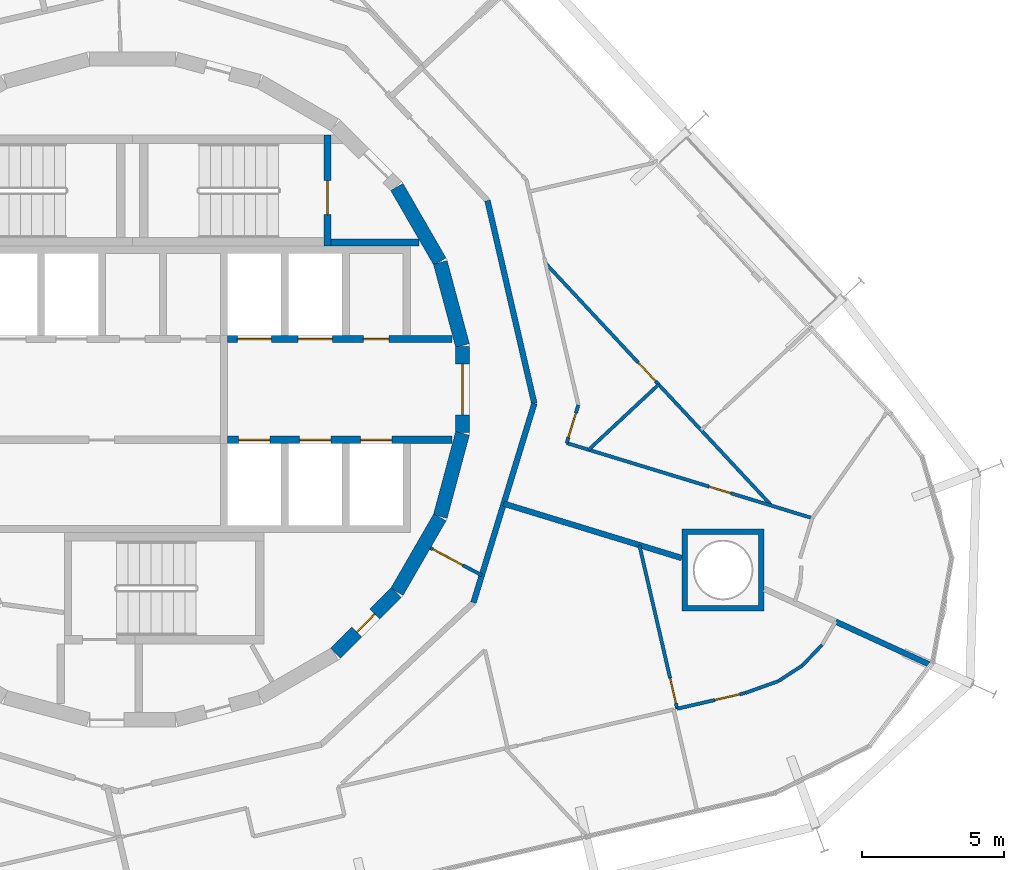
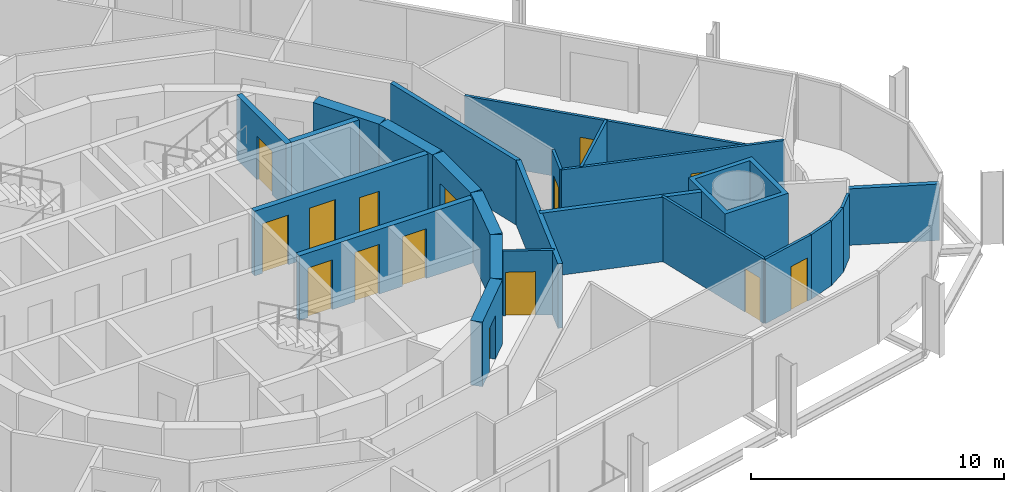
# One storey, part 14 of 18: 25 walls, 15 doors, 15 openings.
"""IFC4 building model written with IfcOpenShell, lengths in metres."""

from ifc_helpers import new_model, si_unit, direction, frame, frame_2d, origin, place, context, subcontext, project, spatial, polyline, rectangle, outline, extrude, material, layer, layer_set, type_object, element, fill, save


model = new_model("IFC4")

# Units and contexts
model_context = context("Model", 3, precision=1e-05, world=origin(), true_north=direction((0.0, 1.0)))
body_context = subcontext(model_context, "Body", "Model", "MODEL_VIEW")
ifc_project = project(units=[si_unit("LENGTHUNIT", "METRE"), si_unit("AREAUNIT", "SQUARE_METRE"), si_unit("VOLUMEUNIT", "CUBIC_METRE"), si_unit("PLANEANGLEUNIT", "RADIAN"), si_unit("MASSUNIT", "GRAM", prefix="KILO")], contexts=[model_context])

# Site, building, storey
site_placement = place(None, origin())
site = spatial("IfcSite", under=ifc_project, at=site_placement, CompositionType="ELEMENT")
building_placement = place(site_placement, origin())
building = spatial("IfcBuilding", under=site, at=building_placement, Name="Spindle Arch Residences", CompositionType="ELEMENT")
storey_placement = place(building_placement, frame((0.0, 0.0, 137.89990234375)))
storey = spatial("IfcBuildingStorey", under=building, at=storey_placement, Name="L34", CompositionType="ELEMENT", Elevation=137.89990234375)

# Wall, opening, door
ifc_material_1 = material(Name="Concrete C50/60", Category="concrete")
ifc_layer_1 = layer(ifc_material_1, 0.5)
ifc_layer_set_1 = layer_set([ifc_layer_1], Name="Core outline wall 500")
wall_type_1 = type_object("IfcWallType", Name="Core outline wall 500", PredefinedType="SHEAR", material=ifc_layer_set_1)
wall_1_placement = place(storey_placement, frame((7.163818359375, -9.30810546875, 0.0), z_axis=(0.0, 0.0, 1.0), x_axis=(0.707106781187, 0.707106781187, 0.0)))
wall_1 = element("IfcWall", 1, at=wall_1_placement, inside=storey, type_object=wall_type_1, Name="Core outline wall 3", PredefinedType="SHEAR", context=body_context, shape_type="SweptSolid", body=[
    extrude(rectangle(XDim=3.032470703125, YDim=0.5, at=frame_2d((1.51611328125, 0.0))), origin(), (0.0, 0.0, 1.0), 3.1201171875),
])
opening_1_placement = place(wall_1_placement, frame((1.06640625, 0.0, 0.0)))
opening_1 = element("IfcOpeningElement", 2, at=opening_1_placement, cuts=wall_1, Name="Opening R3C1-WD07", PredefinedType="OPENING", context=body_context, shape_type="SweptSolid", body=[
    extrude(rectangle(XDim=0.89990234375, YDim=2.10009765625, at=frame_2d((0.449951171875, 1.050048828125))), frame((0.0, 0.260009765625, 0.0), z_axis=(0.0, -1.0, 0.0), x_axis=(1.0, 0.0, 0.0)), (0.0, 0.0, 1.0), 0.52001953125),
])
ifc_material_2 = material(Name="Steel, fire-resisting door", Category="steel")
door_type_1 = type_object("IfcDoorType", Name="Service room door 900x2100", OperationType="SINGLE_SWING_LEFT", PredefinedType="DOOR", material=ifc_material_2)
door_1_placement = place(opening_1_placement, origin())
door_1 = element("IfcDoor", 3, at=door_1_placement, inside=storey, type_object=door_type_1, Name="Service room door R3C1-WD07", OperationType="SINGLE_SWING_RIGHT", OverallHeight=2.10009765625, OverallWidth=0.89990234375, PredefinedType="DOOR", context=body_context, shape_type="SweptSolid", body=[
    extrude(rectangle(XDim=0.89990234375, YDim=2.10009765625, at=frame_2d((0.449951171875, 1.050048828125))), frame((0.0, 0.02490234375, 0.0), z_axis=(0.0, -1.0, 0.0), x_axis=(1.0, 0.0, 0.0)), (0.0, 0.0, 1.0), 0.050048828125),
])
fill(opening_1, door_1)

# Walls
for number, where, z_axis, x_axis, name in (
    (4, (9.32861328125, -7.13671875, 0.0), (0.0, 0.0, 1.0), (0.500087131594, 0.865975092491, 0.0), "Core outline wall 4"),
    (5, (10.858154296875, -4.479248046875, 0.0), (0.0, 0.0, 1.0), (0.258734743916, 0.965948410781, 0.0), "Core outline wall 5"),
):
    element("IfcWall", number, at=place(storey_placement, frame(where, z_axis=z_axis, x_axis=x_axis)), inside=storey, type_object=wall_type_1, Name=name, PredefinedType="SHEAR", context=body_context, shape_type="SweptSolid", body=[
        extrude(rectangle(XDim=3.03271484375, YDim=0.5, at=frame_2d((1.516357421875, 0.0))), origin(), (0.0, 0.0, 1.0), 3.1201171875),
    ])

# Wall, opening, door
wall_2_placement = place(storey_placement, frame((11.647216796875, -1.516357421875, 0.0), z_axis=(0.0, 0.0, 1.0), x_axis=(0.0, 1.0, 0.0)))
wall_2 = element("IfcWall", 6, at=wall_2_placement, inside=storey, type_object=wall_type_1, Name="Core outline wall 6", PredefinedType="SHEAR", context=body_context, shape_type="SweptSolid", body=[
    extrude(rectangle(XDim=3.03271484375, YDim=0.5, at=frame_2d((1.516357421875, 0.0))), origin(), (0.0, 0.0, 1.0), 3.1201171875),
])
opening_2_placement = place(wall_2_placement, frame((0.6162109375, 0.0, 0.0)))
opening_2 = element("IfcOpeningElement", 7, at=opening_2_placement, cuts=wall_2, Name="Opening R3C1-FE01", PredefinedType="OPENING", context=body_context, shape_type="SweptSolid", body=[
    extrude(rectangle(XDim=1.800048828125, YDim=2.10009765625, at=frame_2d((0.89990234375, 1.050048828125))), frame((0.0, 0.260009765625, 0.0), z_axis=(0.0, -1.0, 0.0), x_axis=(1.0, 0.0, 0.0)), (0.0, 0.0, 1.0), 0.52001953125),
])
ifc_material_3 = material(Name="Steel, fire-resisting door", Category="steel")
door_type_2 = type_object("IfcDoorType", Name="Fire-lift lobby door 1800x2100", OperationType="DOUBLE_DOOR_SINGLE_SWING", PredefinedType="DOOR", material=ifc_material_3)
door_2_placement = place(opening_2_placement, origin())
door_2 = element("IfcDoor", 8, at=door_2_placement, inside=storey, type_object=door_type_2, Name="Fire-lift lobby door R3C1-FE01", OperationType="DOUBLE_DOOR_SINGLE_SWING", OverallHeight=2.10009765625, OverallWidth=1.800048828125, PredefinedType="DOOR", context=body_context, shape_type="SweptSolid", body=[
    extrude(rectangle(XDim=1.800048828125, YDim=2.10009765625, at=frame_2d((0.89990234375, 1.050048828125))), frame((0.0, 0.02490234375, 0.0), z_axis=(0.0, -1.0, 0.0), x_axis=(1.0, 0.0, 0.0)), (0.0, 0.0, 1.0), 0.050048828125),
])
fill(opening_2, door_2)

# Walls
for number, where, z_axis, x_axis, name in (
    (9, (11.642822265625, 1.5498046875, 0.0), (0.0, 0.0, 1.0), (-0.258734743916, 0.965948410781, 0.0), "Core outline wall 7"),
    (10, (10.84521484375, 4.510498046875, 0.0), (0.0, 0.0, 1.0), (-0.500087131594, 0.865975092491, 0.0), "Core outline wall 8"),
):
    element("IfcWall", number, at=place(storey_placement, frame(where, z_axis=z_axis, x_axis=x_axis)), inside=storey, type_object=wall_type_1, Name=name, PredefinedType="SHEAR", context=body_context, shape_type="SweptSolid", body=[
        extrude(rectangle(XDim=3.03271484375, YDim=0.5, at=frame_2d((1.516357421875, 0.0))), origin(), (0.0, 0.0, 1.0), 3.1201171875),
    ])

# Wall, opening, door
ifc_material_4 = material(Name="Plasterboard on steel studs", Category="steel")
ifc_layer_2 = layer(ifc_material_4, 0.1201171875)
ifc_layer_set_2 = layer_set([ifc_layer_2], Name="Corridor division wall 120")
wall_type_2 = type_object("IfcWallType", Name="Corridor division wall 120", PredefinedType="PARTITIONING", material=ifc_layer_set_2)
wall_3_placement = place(storey_placement, frame((10.510986328125, -5.5888671875, 0.0), z_axis=(0.0, 0.0, 1.0), x_axis=(0.882987820808, -0.469395897196, 0.0)))
wall_3 = element("IfcWall", 11, at=wall_3_placement, inside=storey, type_object=wall_type_2, Name="Corridor division wall R3C1-W002", PredefinedType="PARTITIONING", context=body_context, shape_type="SweptSolid", body=[
    extrude(rectangle(XDim=2.0517578125, YDim=0.1201171875, at=frame_2d((1.02587890625, 0.0))), origin(), (0.0, 0.0, 1.0), 3.1201171875),
])
opening_3_placement = place(wall_3_placement, frame((0.10009765625, 0.0, 0.0)))
opening_3 = element("IfcOpeningElement", 12, at=opening_3_placement, cuts=wall_3, Name="Opening R3C1-CD02", PredefinedType="OPENING", context=body_context, shape_type="SweptSolid", body=[
    extrude(rectangle(XDim=1.199951171875, YDim=2.10009765625, at=frame_2d((0.60009765625, 1.050048828125))), frame((0.0, 0.070068359375, 0.0), z_axis=(0.0, -1.0, 0.0), x_axis=(1.0, 0.0, 0.0)), (0.0, 0.0, 1.0), 0.14013671875),
])
ifc_material_5 = material(Name="Steel, fire-resisting door", Category="steel")
door_type_3 = type_object("IfcDoorType", Name="Corridor division door 1200x2100", OperationType="NOTDEFINED", PredefinedType="DOOR", material=ifc_material_5)
door_3_placement = place(opening_3_placement, origin())
door_3 = element("IfcDoor", 13, at=door_3_placement, inside=storey, type_object=door_type_3, Name="Corridor division door R3C1-CD02", OperationType="DOUBLE_DOOR_SINGLE_SWING", OverallHeight=2.10009765625, OverallWidth=1.199951171875, PredefinedType="DOOR", context=body_context, shape_type="SweptSolid", body=[
    extrude(rectangle(XDim=1.199951171875, YDim=2.10009765625, at=frame_2d((0.60009765625, 1.050048828125))), frame((0.0, 0.02490234375, 0.0), z_axis=(0.0, -1.0, 0.0), x_axis=(1.0, 0.0, 0.0)), (0.0, 0.0, 1.0), 0.050048828125),
])
fill(opening_3, door_3)

# Walls
ifc_material_6 = material(Name="Calcium silicate block, plastered")
ifc_layer_3 = layer(ifc_material_6, 0.199951171875)
ifc_layer_set_3 = layer_set([ifc_layer_3], Name="Corridor wall 200")
wall_type_3 = type_object("IfcWallType", Name="Corridor wall 200", PredefinedType="STANDARD", material=ifc_layer_set_3)
wall_4_placement = place(storey_placement, frame((12.028076171875, -7.51611328125, 0.0), z_axis=(0.0, 0.0, 1.0), x_axis=(0.292365533182, 0.956306642771, 0.0)))
element("IfcWall", 14, at=wall_4_placement, inside=storey, type_object=wall_type_3, Name="Corridor wall R3C1-W004", PredefinedType="STANDARD", context=body_context, shape_type="SweptSolid", body=[
    extrude(rectangle(XDim=7.341796875, YDim=0.199951171875, at=frame_2d((3.6708984375, 0.0))), origin(), (0.0, 0.0, 1.0), 3.1201171875),
])
wall_5_placement = place(storey_placement, frame((14.174560546875, -0.4951171875, 0.0), z_axis=(0.0, 0.0, 1.0), x_axis=(-0.224922649383, 0.974376622151, 0.0)))
element("IfcWall", 15, at=wall_5_placement, inside=storey, type_object=wall_type_3, Name="Corridor wall R3C1-W005", PredefinedType="STANDARD", context=body_context, shape_type="SweptSolid", body=[
    extrude(rectangle(XDim=7.342041015625, YDim=0.199951171875, at=frame_2d((3.6708984375, 0.0))), origin(), (0.0, 0.0, 1.0), 3.1201171875),
])

# Wall, openings, doors
ifc_material_7 = material(Name="Concrete C40/50", Category="concrete")
ifc_layer_4 = layer(ifc_material_7, 0.25)
ifc_layer_set_4 = layer_set([ifc_layer_4], Name="Fire-lift lobby wall 250")
wall_type_4 = type_object("IfcWallType", Name="Fire-lift lobby wall 250", PredefinedType="SHEAR", material=ifc_layer_set_4)
wall_6_placement = place(storey_placement, frame((3.35009765625, 1.77490234375, 0.0), z_axis=(0.0, 0.0, 1.0), x_axis=(1.0, 0.0, 0.0)))
wall_6 = element("IfcWall", 16, at=wall_6_placement, inside=storey, type_object=wall_type_4, Name="Lift shaft front wall NE", PredefinedType="SHEAR", context=body_context, shape_type="SweptSolid", body=[
    extrude(rectangle(XDim=7.929931640625, YDim=0.25, at=frame_2d((3.96484375, 0.0))), origin(), (0.0, 0.0, 1.0), 3.1201171875),
])
opening_4_placement = place(wall_6_placement, frame((0.35009765625, 0.0, 0.0)))
opening_4 = element("IfcOpeningElement", 17, at=opening_4_placement, cuts=wall_6, Name="Opening R3C1-SLD01", PredefinedType="OPENING", context=body_context, shape_type="SweptSolid", body=[
    extrude(rectangle(XDim=1.199951171875, YDim=2.39990234375, at=frame_2d((0.60009765625, 1.199951171875))), frame((0.0, 0.135009765625, 0.0), z_axis=(0.0, -1.0, 0.0), x_axis=(1.0, 0.0, 0.0)), (0.0, 0.0, 1.0), 0.27001953125),
])
opening_5_placement = place(wall_6_placement, frame((2.5, 0.0, 0.0)))
opening_5 = element("IfcOpeningElement", 18, at=opening_5_placement, cuts=wall_6, Name="Opening R3C1-SLD02", PredefinedType="OPENING", context=body_context, shape_type="SweptSolid", body=[
    extrude(rectangle(XDim=1.199951171875, YDim=2.39990234375, at=frame_2d((0.60009765625, 1.199951171875))), frame((0.0, 0.135009765625, 0.0), z_axis=(0.0, -1.0, 0.0), x_axis=(1.0, 0.0, 0.0)), (0.0, 0.0, 1.0), 0.27001953125),
])
opening_6_placement = place(wall_6_placement, frame((4.800048828125, 0.0, 0.0)))
opening_6 = element("IfcOpeningElement", 19, at=opening_6_placement, cuts=wall_6, Name="Opening R3C1-WD03", PredefinedType="OPENING", context=body_context, shape_type="SweptSolid", body=[
    extrude(rectangle(XDim=0.89990234375, YDim=2.10009765625, at=frame_2d((0.449951171875, 1.050048828125))), frame((0.0, 0.135009765625, 0.0), z_axis=(0.0, -1.0, 0.0), x_axis=(1.0, 0.0, 0.0)), (0.0, 0.0, 1.0), 0.27001953125),
])
ifc_material_8 = material(Name="Steel, fire-resisting landing door", Category="steel")
door_type_4 = type_object("IfcDoorType", Name="Service lift landing door 1200x2400", OperationType="DOUBLE_DOOR_SLIDING", PredefinedType="DOOR", material=ifc_material_8)
door_4_placement = place(opening_4_placement, origin())
door_4 = element("IfcDoor", 20, at=door_4_placement, inside=storey, type_object=door_type_4, Name="Service lift landing door R3C1-SLD01", OperationType="DOUBLE_DOOR_SLIDING", OverallHeight=2.39990234375, OverallWidth=1.199951171875, PredefinedType="DOOR", context=body_context, shape_type="SweptSolid", body=[
    extrude(rectangle(XDim=1.199951171875, YDim=2.39990234375, at=frame_2d((0.60009765625, 1.199951171875))), frame((0.0, 0.02490234375, 0.0), z_axis=(0.0, -1.0, 0.0), x_axis=(1.0, 0.0, 0.0)), (0.0, 0.0, 1.0), 0.050048828125),
])
fill(opening_4, door_4)
door_5_placement = place(opening_5_placement, origin())
door_5 = element("IfcDoor", 21, at=door_5_placement, inside=storey, type_object=door_type_4, Name="Service lift landing door R3C1-SLD02", OperationType="DOUBLE_DOOR_SLIDING", OverallHeight=2.39990234375, OverallWidth=1.199951171875, PredefinedType="DOOR", context=body_context, shape_type="SweptSolid", body=[
    extrude(rectangle(XDim=1.199951171875, YDim=2.39990234375, at=frame_2d((0.60009765625, 1.199951171875))), frame((0.0, 0.02490234375, 0.0), z_axis=(0.0, -1.0, 0.0), x_axis=(1.0, 0.0, 0.0)), (0.0, 0.0, 1.0), 0.050048828125),
])
fill(opening_5, door_5)
door_6_placement = place(opening_6_placement, origin())
door_6 = element("IfcDoor", 22, at=door_6_placement, inside=storey, type_object=door_type_1, Name="Service room door R3C1-WD03", OperationType="SINGLE_SWING_RIGHT", OverallHeight=2.10009765625, OverallWidth=0.89990234375, PredefinedType="DOOR", context=body_context, shape_type="SweptSolid", body=[
    extrude(rectangle(XDim=0.89990234375, YDim=2.10009765625, at=frame_2d((0.449951171875, 1.050048828125))), frame((0.0, 0.02490234375, 0.0), z_axis=(0.0, -1.0, 0.0), x_axis=(1.0, 0.0, 0.0)), (0.0, 0.0, 1.0), 0.050048828125),
])
fill(opening_6, door_6)

ifc_material_9 = material(Name="Concrete C50/60", Category="concrete")
ifc_layer_5 = layer(ifc_material_9, 0.25)
ifc_layer_set_5 = layer_set([ifc_layer_5], Name="Fire-lift shaft wall 250")
wall_type_5 = type_object("IfcWallType", Name="Fire-lift shaft wall 250", PredefinedType="SHEAR", material=ifc_layer_set_5)
wall_7_placement = place(storey_placement, frame((3.35009765625, -1.77490234375, 0.0), z_axis=(0.0, 0.0, 1.0), x_axis=(1.0, 0.0, 0.0)))
wall_7 = element("IfcWall", 23, at=wall_7_placement, inside=storey, type_object=wall_type_5, Name="Lift shaft front wall SE", PredefinedType="SHEAR", context=body_context, shape_type="SweptSolid", body=[
    extrude(rectangle(XDim=7.929931640625, YDim=0.25, at=frame_2d((3.96484375, 0.0))), origin(), (0.0, 0.0, 1.0), 3.1201171875),
])
opening_7_placement = place(wall_7_placement, frame((0.39990234375, 0.0, 0.0)))
opening_7 = element("IfcOpeningElement", 24, at=opening_7_placement, cuts=wall_7, Name="Opening R3C1-FLD01", PredefinedType="OPENING", context=body_context, shape_type="SweptSolid", body=[
    extrude(rectangle(XDim=1.10009765625, YDim=2.39990234375, at=frame_2d((0.550048828125, 1.199951171875))), frame((0.0, 0.135009765625, 0.0), z_axis=(0.0, -1.0, 0.0), x_axis=(1.0, 0.0, 0.0)), (0.0, 0.0, 1.0), 0.27001953125),
])
opening_8_placement = place(wall_7_placement, frame((2.550048828125, 0.0, 0.0)))
opening_8 = element("IfcOpeningElement", 25, at=opening_8_placement, cuts=wall_7, Name="Opening R3C1-FLD02", PredefinedType="OPENING", context=body_context, shape_type="SweptSolid", body=[
    extrude(rectangle(XDim=1.10009765625, YDim=2.39990234375, at=frame_2d((0.550048828125, 1.199951171875))), frame((0.0, 0.135009765625, 0.0), z_axis=(0.0, -1.0, 0.0), x_axis=(1.0, 0.0, 0.0)), (0.0, 0.0, 1.0), 0.27001953125),
])
opening_9_placement = place(wall_7_placement, frame((4.699951171875, 0.0, 0.0)))
opening_9 = element("IfcOpeningElement", 26, at=opening_9_placement, cuts=wall_7, Name="Opening R3C1-FLD03", PredefinedType="OPENING", context=body_context, shape_type="SweptSolid", body=[
    extrude(rectangle(XDim=1.10009765625, YDim=2.39990234375, at=frame_2d((0.550048828125, 1.199951171875))), frame((0.0, 0.135009765625, 0.0), z_axis=(0.0, -1.0, 0.0), x_axis=(1.0, 0.0, 0.0)), (0.0, 0.0, 1.0), 0.27001953125),
])
ifc_material_10 = material(Name="Steel, fire-resisting landing door", Category="steel")
door_type_5 = type_object("IfcDoorType", Name="Fire-fighting lift landing door 1100x2400", OperationType="DOUBLE_DOOR_SLIDING", PredefinedType="DOOR", material=ifc_material_10)
door_7_placement = place(opening_7_placement, origin())
door_7 = element("IfcDoor", 27, at=door_7_placement, inside=storey, type_object=door_type_5, Name="Fire-fighting lift landing door R3C1-FLD01", OperationType="DOUBLE_DOOR_SLIDING", OverallHeight=2.39990234375, OverallWidth=1.10009765625, PredefinedType="DOOR", context=body_context, shape_type="SweptSolid", body=[
    extrude(rectangle(XDim=1.10009765625, YDim=2.39990234375, at=frame_2d((0.550048828125, 1.199951171875))), frame((0.0, 0.02490234375, 0.0), z_axis=(0.0, -1.0, 0.0), x_axis=(1.0, 0.0, 0.0)), (0.0, 0.0, 1.0), 0.050048828125),
])
fill(opening_7, door_7)
door_8_placement = place(opening_8_placement, origin())
door_8 = element("IfcDoor", 28, at=door_8_placement, inside=storey, type_object=door_type_5, Name="Fire-fighting lift landing door R3C1-FLD02", OperationType="DOUBLE_DOOR_SLIDING", OverallHeight=2.39990234375, OverallWidth=1.10009765625, PredefinedType="DOOR", context=body_context, shape_type="SweptSolid", body=[
    extrude(rectangle(XDim=1.10009765625, YDim=2.39990234375, at=frame_2d((0.550048828125, 1.199951171875))), frame((0.0, 0.02490234375, 0.0), z_axis=(0.0, -1.0, 0.0), x_axis=(1.0, 0.0, 0.0)), (0.0, 0.0, 1.0), 0.050048828125),
])
fill(opening_8, door_8)
door_9_placement = place(opening_9_placement, origin())
door_9 = element("IfcDoor", 29, at=door_9_placement, inside=storey, type_object=door_type_5, Name="Fire-fighting lift landing door R3C1-FLD03", OperationType="DOUBLE_DOOR_SLIDING", OverallHeight=2.39990234375, OverallWidth=1.10009765625, PredefinedType="DOOR", context=body_context, shape_type="SweptSolid", body=[
    extrude(rectangle(XDim=1.10009765625, YDim=2.39990234375, at=frame_2d((0.550048828125, 1.199951171875))), frame((0.0, 0.02490234375, 0.0), z_axis=(0.0, -1.0, 0.0), x_axis=(1.0, 0.0, 0.0)), (0.0, 0.0, 1.0), 0.050048828125),
])
fill(opening_9, door_9)

# Wall, opening, door
ifc_material_11 = material(Name="Plasterboard on steel studs", Category="steel")
ifc_layer_6 = layer(ifc_material_11, 0.1201171875)
ifc_layer_set_6 = layer_set([ifc_layer_6], Name="Flat partition 120")
wall_type_6 = type_object("IfcWallType", Name="Flat partition 120", PredefinedType="PARTITIONING", material=ifc_layer_set_6)
wall_8_placement = place(storey_placement, frame((23.974853515625, -4.537353515625, 0.0), z_axis=(0.0, 0.0, 1.0), x_axis=(-0.956300480156, 0.292385689892, 0.0)))
wall_8 = element("IfcWall", 30, at=wall_8_placement, inside=storey, type_object=wall_type_6, Name="Flat partition R3C1-W031", PredefinedType="PARTITIONING", context=body_context, shape_type="SweptSolid", body=[
    extrude(rectangle(XDim=9.053955078125, YDim=0.1201171875, at=frame_2d((4.52685546875, 0.0))), origin(), (0.0, 0.0, 1.0), 3.1201171875),
])
opening_10_placement = place(wall_8_placement, frame((2.99755859375, 0.0, 0.0)))
opening_10 = element("IfcOpeningElement", 31, at=opening_10_placement, cuts=wall_8, Name="Opening R3C1-BD01", PredefinedType="OPENING", context=body_context, shape_type="SweptSolid", body=[
    extrude(rectangle(XDim=0.800048828125, YDim=2.10009765625, at=frame_2d((0.39990234375, 1.050048828125))), frame((0.0, 0.070068359375, 0.0), z_axis=(0.0, -1.0, 0.0), x_axis=(1.0, 0.0, 0.0)), (0.0, 0.0, 1.0), 0.14013671875),
])
ifc_material_12 = material(Name="Timber door set", Category="wood")
door_type_6 = type_object("IfcDoorType", Name="Bathroom door 800x2100", OperationType="NOTDEFINED", PredefinedType="DOOR", material=ifc_material_12)
door_10_placement = place(opening_10_placement, origin())
door_10 = element("IfcDoor", 32, at=door_10_placement, inside=storey, type_object=door_type_6, Name="Bathroom door R3C1-BD01", OperationType="SINGLE_SWING_LEFT", OverallHeight=2.10009765625, OverallWidth=0.800048828125, PredefinedType="DOOR", context=body_context, shape_type="SweptSolid", body=[
    extrude(rectangle(XDim=0.800048828125, YDim=2.10009765625, at=frame_2d((0.39990234375, 1.050048828125))), frame((0.0, 0.02490234375, 0.0), z_axis=(0.0, -1.0, 0.0), x_axis=(1.0, 0.0, 0.0)), (0.0, 0.0, 1.0), 0.050048828125),
])
fill(opening_10, door_10)

wall_9_placement = place(storey_placement, frame((15.316650390625, -1.89013671875, 0.0), z_axis=(0.0, 0.0, 1.0), x_axis=(0.292360095486, 0.956308305186, 0.0)))
wall_9 = element("IfcWall", 33, at=wall_9_placement, inside=storey, type_object=wall_type_6, Name="Flat partition R3C1-W032", PredefinedType="PARTITIONING", context=body_context, shape_type="SweptSolid", body=[
    extrude(rectangle(XDim=1.402099609375, YDim=0.1201171875, at=frame_2d((0.701171875, 0.0))), origin(), (0.0, 0.0, 1.0), 3.1201171875),
])
opening_11_placement = place(wall_9_placement, frame((0.199951171875, 0.0, 0.0)))
opening_11 = element("IfcOpeningElement", 34, at=opening_11_placement, cuts=wall_9, Name="Opening R3C1-ID01", PredefinedType="OPENING", context=body_context, shape_type="SweptSolid", body=[
    extrude(rectangle(XDim=0.89990234375, YDim=2.10009765625, at=frame_2d((0.449951171875, 1.050048828125))), frame((0.0, 0.070068359375, 0.0), z_axis=(0.0, -1.0, 0.0), x_axis=(1.0, 0.0, 0.0)), (0.0, 0.0, 1.0), 0.14013671875),
])
ifc_material_13 = material(Name="Timber door set", Category="wood")
door_type_7 = type_object("IfcDoorType", Name="Room door 900x2100", OperationType="NOTDEFINED", PredefinedType="DOOR", material=ifc_material_13)
door_11_placement = place(opening_11_placement, origin())
door_11 = element("IfcDoor", 35, at=door_11_placement, inside=storey, type_object=door_type_7, Name="Room door R3C1-ID01", OperationType="SINGLE_SWING_LEFT", OverallHeight=2.10009765625, OverallWidth=0.89990234375, PredefinedType="DOOR", context=body_context, shape_type="SweptSolid", body=[
    extrude(rectangle(XDim=0.89990234375, YDim=2.10009765625, at=frame_2d((0.449951171875, 1.050048828125))), frame((0.0, 0.02490234375, 0.0), z_axis=(0.0, -1.0, 0.0), x_axis=(1.0, 0.0, 0.0)), (0.0, 0.0, 1.0), 0.050048828125),
])
fill(opening_11, door_11)

wall_10_placement = place(storey_placement, frame((22.542724609375, -4.099609375, 0.0), z_axis=(0.0, 0.0, 1.0), x_axis=(-0.681980976228, 0.731369911921, 0.0)))
wall_10 = element("IfcWall", 36, at=wall_10_placement, inside=storey, type_object=wall_type_6, Name="Flat partition R3C1-W038", PredefinedType="PARTITIONING", context=body_context, shape_type="SweptSolid", body=[
    extrude(rectangle(XDim=11.685791015625, YDim=0.1201171875, at=frame_2d((5.8427734375, 0.0))), origin(), (0.0, 0.0, 1.0), 3.1201171875),
])
opening_12_placement = place(wall_10_placement, frame((6.002685546875, 0.0, 0.0)))
opening_12 = element("IfcOpeningElement", 37, at=opening_12_placement, cuts=wall_10, Name="Opening R3C1-ID06", PredefinedType="OPENING", context=body_context, shape_type="SweptSolid", body=[
    extrude(rectangle(XDim=0.89990234375, YDim=2.10009765625, at=frame_2d((0.449951171875, 1.050048828125))), frame((0.0, 0.070068359375, 0.0), z_axis=(0.0, -1.0, 0.0), x_axis=(1.0, 0.0, 0.0)), (0.0, 0.0, 1.0), 0.14013671875),
])
door_12_placement = place(opening_12_placement, origin())
door_12 = element("IfcDoor", 38, at=door_12_placement, inside=storey, type_object=door_type_7, Name="Room door R3C1-ID06", OperationType="SINGLE_SWING_RIGHT", OverallHeight=2.10009765625, OverallWidth=0.89990234375, PredefinedType="DOOR", context=body_context, shape_type="SweptSolid", body=[
    extrude(rectangle(XDim=0.89990234375, YDim=2.10009765625, at=frame_2d((0.449951171875, 1.050048828125))), frame((0.0, 0.02490234375, 0.0), z_axis=(0.0, -1.0, 0.0), x_axis=(1.0, 0.0, 0.0)), (0.0, 0.0, 1.0), 0.050048828125),
])
fill(opening_12, door_12)

# Wall
wall_11_placement = place(storey_placement, frame((16.0908203125, -2.126953125, 0.0), z_axis=(0.0, 0.0, 1.0), x_axis=(0.731389706697, 0.6819597473, 0.0)))
element("IfcWall", 39, at=wall_11_placement, inside=storey, type_object=wall_type_6, Name="Flat partition R3C1-W039", PredefinedType="PARTITIONING", context=body_context, shape_type="SweptSolid", body=[
    extrude(rectangle(XDim=3.37353515625, YDim=0.1201171875, at=frame_2d((1.686767578125, 0.0))), origin(), (0.0, 0.0, 1.0), 3.1201171875),
])

# Wall, opening, door
wall_12_placement = place(storey_placement, frame((19.211181640625, -11.2578125, 0.0), z_axis=(0.0, 0.0, 1.0), x_axis=(-0.22499500936, 0.974359915926, 0.0)))
wall_12 = element("IfcWall", 40, at=wall_12_placement, inside=storey, type_object=wall_type_6, Name="Flat partition R3C1-W108", PredefinedType="PARTITIONING", context=body_context, shape_type="SweptSolid", body=[
    extrude(rectangle(XDim=5.92138671875, YDim=0.1201171875, at=frame_2d((2.960693359375, 0.0))), origin(), (0.0, 0.0, 1.0), 3.1201171875),
])
opening_13_placement = place(wall_12_placement, frame((0.199951171875, 0.0, 0.0)))
opening_13 = element("IfcOpeningElement", 41, at=opening_13_placement, cuts=wall_12, Name="Opening R3C1-ID29", PredefinedType="OPENING", context=body_context, shape_type="SweptSolid", body=[
    extrude(rectangle(XDim=0.89990234375, YDim=2.10009765625, at=frame_2d((0.449951171875, 1.050048828125))), frame((0.0, 0.070068359375, 0.0), z_axis=(0.0, -1.0, 0.0), x_axis=(1.0, 0.0, 0.0)), (0.0, 0.0, 1.0), 0.14013671875),
])
door_13_placement = place(opening_13_placement, origin())
door_13 = element("IfcDoor", 42, at=door_13_placement, inside=storey, type_object=door_type_7, Name="Room door R3C1-ID29", OperationType="SINGLE_SWING_RIGHT", OverallHeight=2.10009765625, OverallWidth=0.89990234375, PredefinedType="DOOR", context=body_context, shape_type="SweptSolid", body=[
    extrude(rectangle(XDim=0.89990234375, YDim=2.10009765625, at=frame_2d((0.449951171875, 1.050048828125))), frame((0.0, 0.02490234375, 0.0), z_axis=(0.0, -1.0, 0.0), x_axis=(1.0, 0.0, 0.0)), (0.0, 0.0, 1.0), 0.050048828125),
])
fill(opening_13, door_13)

# Walls
for number, where, z_axis, x_axis, name in (
    (43, (24.324462890625, -9.001708984375, 0.0), (0.0, 0.0, 1.0), (-0.690452883014, -0.723377367864, 0.0), "Flat partition R3C1-W112"),
    (44, (23.623046875, -9.736572265625, 0.0), (0.0, 0.0, 1.0), (-0.838718041084, -0.544565925816, 0.0), "Flat partition R3C1-W113"),
):
    element("IfcWall", number, at=place(storey_placement, frame(where, z_axis=z_axis, x_axis=x_axis)), inside=storey, type_object=wall_type_6, Name=name, PredefinedType="PARTITIONING", context=body_context, shape_type="SweptSolid", body=[
        extrude(rectangle(XDim=1.015869140625, YDim=0.1201171875, at=frame_2d((0.5078125, 0.0))), origin(), (0.0, 0.0, 1.0), 3.1201171875),
    ])
wall_13_placement = place(storey_placement, frame((22.77099609375, -10.289794921875, 0.0), z_axis=(0.0, 0.0, 1.0), x_axis=(-0.941701391526, -0.336449831623, 0.0)))
element("IfcWall", 45, at=wall_13_placement, inside=storey, type_object=wall_type_6, Name="Flat partition R3C1-W114", PredefinedType="PARTITIONING", context=body_context, shape_type="SweptSolid", body=[
    extrude(rectangle(XDim=1.22705078125, YDim=0.1201171875, at=frame_2d((0.613525390625, 0.0))), origin(), (0.0, 0.0, 1.0), 3.1201171875),
])

# Wall, opening, door
wall_14_placement = place(storey_placement, frame((21.615478515625, -10.70263671875, 0.0), z_axis=(0.0, 0.0, 1.0), x_axis=(-0.974361171506, -0.224989571893, 0.0)))
wall_14 = element("IfcWall", 46, at=wall_14_placement, inside=storey, type_object=wall_type_6, Name="Flat partition R3C1-W115", PredefinedType="PARTITIONING", context=body_context, shape_type="SweptSolid", body=[
    extrude(rectangle(XDim=2.467529296875, YDim=0.1201171875, at=frame_2d((1.23388671875, 0.0))), origin(), (0.0, 0.0, 1.0), 3.1201171875),
])
opening_14_placement = place(wall_14_placement, frame((0.199951171875, 0.0, 0.0)))
opening_14 = element("IfcOpeningElement", 47, at=opening_14_placement, cuts=wall_14, Name="Opening R3C1-ID30", PredefinedType="OPENING", context=body_context, shape_type="SweptSolid", body=[
    extrude(rectangle(XDim=0.89990234375, YDim=2.10009765625, at=frame_2d((0.449951171875, 1.050048828125))), frame((0.0, 0.070068359375, 0.0), z_axis=(0.0, -1.0, 0.0), x_axis=(1.0, 0.0, 0.0)), (0.0, 0.0, 1.0), 0.14013671875),
])
door_14_placement = place(opening_14_placement, origin())
door_14 = element("IfcDoor", 48, at=door_14_placement, inside=storey, type_object=door_type_7, Name="Room door R3C1-ID30", OperationType="SINGLE_SWING_RIGHT", OverallHeight=2.10009765625, OverallWidth=0.89990234375, PredefinedType="DOOR", context=body_context, shape_type="SweptSolid", body=[
    extrude(rectangle(XDim=0.89990234375, YDim=2.10009765625, at=frame_2d((0.449951171875, 1.050048828125))), frame((0.0, 0.02490234375, 0.0), z_axis=(0.0, -1.0, 0.0), x_axis=(1.0, 0.0, 0.0)), (0.0, 0.0, 1.0), 0.050048828125),
])
fill(opening_14, door_14)

# Walls
ifc_material_14 = material(Name="Calcium silicate block, plastered")
ifc_layer_7 = layer(ifc_material_14, 0.199951171875)
ifc_layer_set_7 = layer_set([ifc_layer_7], Name="Flat party wall 200")
wall_type_7 = type_object("IfcWallType", Name="Flat party wall 200", PredefinedType="STANDARD", material=ifc_layer_set_7)
wall_15_placement = place(storey_placement, frame((13.09521484375, -4.025634765625, 0.0), z_axis=(0.0, 0.0, 1.0), x_axis=(0.956303942966, -0.292374363904, 0.0)))
element("IfcWall", 49, at=wall_15_placement, inside=storey, type_object=wall_type_7, Name="Flat party wall R3C1-W017", PredefinedType="STANDARD", context=body_context, shape_type="SweptSolid", body=[
    extrude(rectangle(XDim=6.5673828125, YDim=0.199951171875, at=frame_2d((3.28369140625, 0.0))), origin(), (0.0, 0.0, 1.0), 3.1201171875),
])
ifc_material_15 = material(Name="Calcium silicate block, plastered")
ifc_layer_8 = layer(ifc_material_15, 0.199951171875)
ifc_layer_set_8 = layer_set([ifc_layer_8], Name="Flat party wall 200 under beam 2730")
wall_type_8 = type_object("IfcWallType", Name="Flat party wall 200 under beam 2730", PredefinedType="STANDARD", material=ifc_layer_set_8)
wall_16_placement = place(storey_placement, frame((24.8017578125, -8.18603515625, 0.0), z_axis=(0.0, 0.0, 1.0), x_axis=(0.909307466213, -0.416124899387, 0.0)))
element("IfcWall", 50, at=wall_16_placement, inside=storey, type_object=wall_type_8, Name="Flat party wall R3C1-W020", PredefinedType="STANDARD", context=body_context, shape_type="SweptSolid", body=[
    extrude(rectangle(XDim=3.6181640625, YDim=0.199951171875, at=frame_2d((1.80908203125, 0.0))), origin(), (0.0, 0.0, 1.0), 2.72998046875),
])
ifc_material_16 = material(Name="Calcium silicate block, plastered")
ifc_layer_9 = layer(ifc_material_16, 0.199951171875)
ifc_layer_set_9 = layer_set([ifc_layer_9], Name="Mega-column casing wall 200")
wall_type_9 = type_object("IfcWallType", Name="Mega-column casing wall 200", PredefinedType="STANDARD", material=ifc_layer_set_9)
wall_17_placement = place(storey_placement, origin())
element("IfcWall", 51, at=wall_17_placement, inside=storey, type_object=wall_type_9, Name="Mega-column casing wall R3C1-WC03", PredefinedType="STANDARD", context=body_context, shape_type="SweptSolid", body=[
    extrude(outline(polyline([(22.280029296875, -4.91845703125), (22.280029296875, -7.818359375), (19.3798828125, -7.818359375), (19.3798828125, -4.91845703125), (22.280029296875, -4.91845703125)]), holes=[polyline([(19.580078125, -7.618408203125), (22.080078125, -7.618408203125), (22.080078125, -5.118408203125), (19.580078125, -5.118408203125), (19.580078125, -7.618408203125)])]), origin(), (0.0, 0.0, 1.0), 3.1201171875),
])
ifc_material_17 = material(Name="Concrete C40/50", Category="concrete")
ifc_layer_10 = layer(ifc_material_17, 0.25)
ifc_layer_set_10 = layer_set([ifc_layer_10], Name="Stair airlock wall 250")
wall_type_10 = type_object("IfcWallType", Name="Stair airlock wall 250", PredefinedType="SHEAR", material=ifc_layer_set_10)
wall_18_placement = place(storey_placement, frame((7.0, 5.175048828125, 0.0), z_axis=(0.0, 0.0, 1.0), x_axis=(1.0, 0.0, 0.0)))
element("IfcWall", 52, at=wall_18_placement, inside=storey, type_object=wall_type_10, Name="Stair ST-1 airlock wall S", PredefinedType="SHEAR", context=body_context, shape_type="SweptSolid", body=[
    extrude(rectangle(XDim=3.10009765625, YDim=0.25, at=frame_2d((1.550048828125, 0.0))), origin(), (0.0, 0.0, 1.0), 3.1201171875),
])

# Wall, opening, door
ifc_material_18 = material(Name="Concrete C50/60", Category="concrete")
ifc_layer_11 = layer(ifc_material_18, 0.25)
ifc_layer_set_11 = layer_set([ifc_layer_11], Name="Stair enclosure wall 250")
wall_type_11 = type_object("IfcWallType", Name="Stair enclosure wall 250", PredefinedType="SHEAR", material=ifc_layer_set_11)
wall_19_placement = place(storey_placement, frame((6.875, 5.050048828125, 0.0), z_axis=(0.0, 0.0, 1.0), x_axis=(0.0, 1.0, 0.0)))
wall_19 = element("IfcWall", 53, at=wall_19_placement, inside=storey, type_object=wall_type_11, Name="Stair ST-1 door wall", PredefinedType="SHEAR", context=body_context, shape_type="SweptSolid", body=[
    extrude(rectangle(XDim=3.919921875, YDim=0.25, at=frame_2d((1.9599609375, 0.0))), origin(), (0.0, 0.0, 1.0), 3.1201171875),
])
opening_15_placement = place(wall_19_placement, frame((1.110107421875, 0.0, 0.0)))
opening_15 = element("IfcOpeningElement", 54, at=opening_15_placement, cuts=wall_19, Name="Opening R3C1-SD01", PredefinedType="OPENING", context=body_context, shape_type="SweptSolid", body=[
    extrude(rectangle(XDim=1.199951171875, YDim=2.10009765625, at=frame_2d((0.60009765625, 1.050048828125))), frame((0.0, 0.135009765625, 0.0), z_axis=(0.0, -1.0, 0.0), x_axis=(1.0, 0.0, 0.0)), (0.0, 0.0, 1.0), 0.27001953125),
])
ifc_material_19 = material(Name="Steel, fire-resisting door", Category="steel")
door_type_8 = type_object("IfcDoorType", Name="Stair door 1200x2100", OperationType="SINGLE_SWING_RIGHT", PredefinedType="DOOR", material=ifc_material_19)
door_15_placement = place(opening_15_placement, origin())
door_15 = element("IfcDoor", 55, at=door_15_placement, inside=storey, type_object=door_type_8, Name="Stair door R3C1-SD01", OperationType="SINGLE_SWING_LEFT", OverallHeight=2.10009765625, OverallWidth=1.199951171875, PredefinedType="DOOR", context=body_context, shape_type="SweptSolid", body=[
    extrude(rectangle(XDim=1.199951171875, YDim=2.10009765625, at=frame_2d((0.60009765625, 1.050048828125))), frame((0.0, 0.02490234375, 0.0), z_axis=(0.0, -1.0, 0.0), x_axis=(1.0, 0.0, 0.0)), (0.0, 0.0, 1.0), 0.050048828125),
])
fill(opening_15, door_15)

save(model, "model.ifc")
